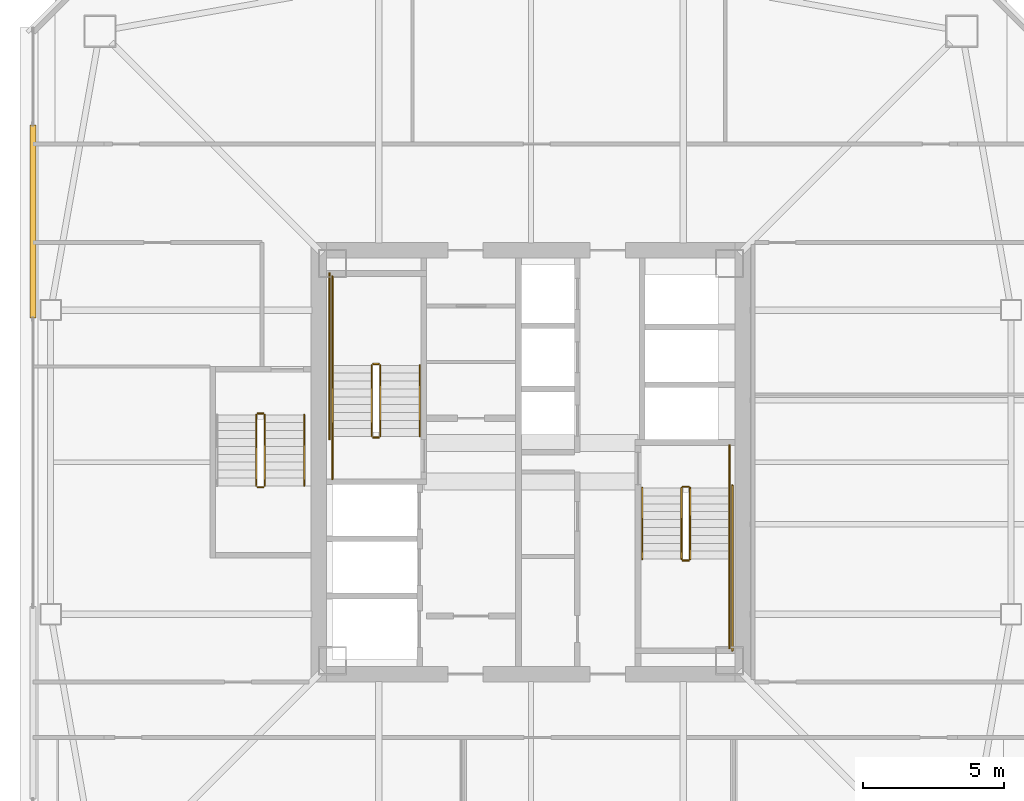
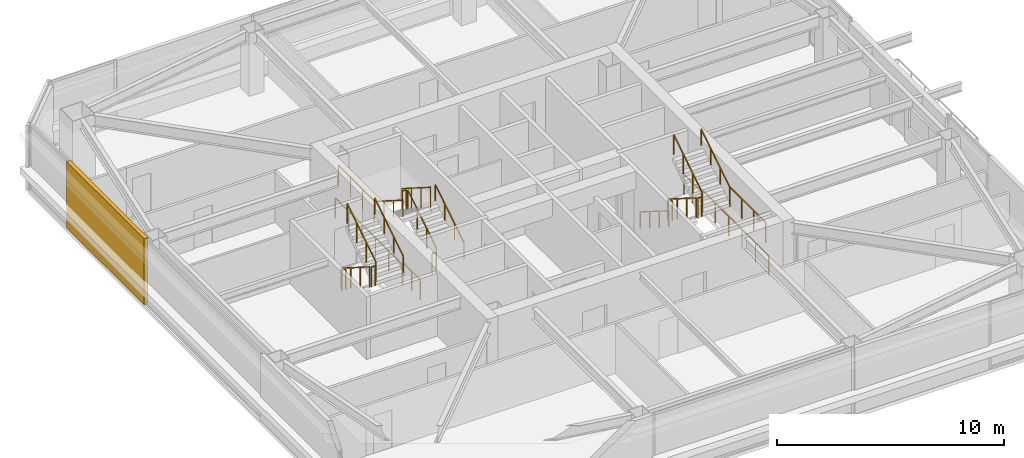
# One storey, part 37 of 41: 23 railings, 1 covering.
"""IFC4 building model written with IfcOpenShell, lengths in metres."""

from ifc_helpers import new_model, si_unit, direction, frame, origin, origin_2d, place, context, subcontext, project, spatial, rectangle, extrude, material, layer, layer_set, type_object, element, save


model = new_model("IFC4")

# Units and contexts
model_context = context("Model", 3, precision=1e-05, world=origin(), true_north=direction((0.0, 1.0)))
body_context = subcontext(model_context, "Body", "Model", "MODEL_VIEW")
ifc_project = project(units=[si_unit("LENGTHUNIT", "METRE"), si_unit("AREAUNIT", "SQUARE_METRE"), si_unit("VOLUMEUNIT", "CUBIC_METRE"), si_unit("PLANEANGLEUNIT", "RADIAN"), si_unit("MASSUNIT", "GRAM", prefix="KILO")], contexts=[model_context])

# Site, building, storey
site_placement = place(None, origin())
site = spatial("IfcSite", under=ifc_project, at=site_placement, CompositionType="ELEMENT")
building_placement = place(site_placement, origin())
building = spatial("IfcBuilding", under=site, at=building_placement, Name="Tashvorn Skyway Center", CompositionType="ELEMENT")
storey_placement = place(building_placement, frame((0.0, 0.0, 171.199951171875)))
storey = spatial("IfcBuildingStorey", under=building, at=storey_placement, Name="L46", CompositionType="ELEMENT", Elevation=171.199951171875)

# Covering
ifc_material_1 = material(Name="Precast concrete C40/50", Category="concrete")
ifc_layer = layer(ifc_material_1, 0.199951171875)
ifc_layer_set = layer_set([ifc_layer], Name="Precast concrete C40/50")
covering_type = type_object("IfcCoveringType", Name="COV-BRACE-CLAD", PredefinedType="CLADDING", material=ifc_layer_set)
covering_placement = place(storey_placement, frame((24.320068359375, 40.54443359375, 0.0), z_axis=(0.0, 0.0, 1.0), x_axis=(0.0, 1.0, 0.0)))
element("IfcCovering", 1, at=covering_placement, inside=storey, type_object=covering_type, Name="Tower 1 L46 West Unitised Curtain Wall Mega-Brace Cladding Band 2", PredefinedType="CLADDING", context=body_context, shape_type="SweptSolid", body=[
    extrude(rectangle(XDim=6.83544921875, YDim=0.199951171875, at=origin_2d()), origin(), (0.0, 0.0, 1.0), 3.550048828125),
])

# Railings
ifc_material_2 = material(Name="Brushed stainless steel 316", Category="steel")
railing_type_1 = type_object("IfcRailingType", Name="RAIL-HAND-920", PredefinedType="HANDRAIL", material=ifc_material_2)
railing_1_placement = place(storey_placement, frame((38.050048828125, 32.919921875, 0.177490234375)))
element("IfcRailing", 2, at=railing_1_placement, inside=storey, type_object=railing_type_1, Name="L46 ST-T1-1 stair handrail 1", PredefinedType="HANDRAIL", context=body_context, shape_type="SweptSolid", body=[
    extrude(rectangle(XDim=0.048095703125, YDim=0.048095703125, at=origin_2d()), frame((0.0, 0.0, 0.8759765625), z_axis=(0.0, 0.84456994832, 0.535445237532), x_axis=(-1.0, 0.0, 0.0)), (0.0, 0.0, 1.0), 2.98388671875),
    extrude(rectangle(XDim=0.0419921875, YDim=0.0419921875, at=origin_2d()), origin(), (0.0, 0.0, 1.0), 0.851806640625),
    extrude(rectangle(XDim=0.0419921875, YDim=0.0419921875, at=origin_2d()), frame((0.0, 0.840087890625, 0.532470703125)), (0.0, 0.0, 1.0), 0.851806640625),
    extrude(rectangle(XDim=0.0419921875, YDim=0.0419921875, at=origin_2d()), frame((0.0, 1.679931640625, 1.065185546875)), (0.0, 0.0, 1.0), 0.851806640625),
    extrude(rectangle(XDim=0.0419921875, YDim=0.0419921875, at=origin_2d()), frame((0.0, 2.52001953125, 1.59765625)), (0.0, 0.0, 1.0), 0.851806640625),
])
railing_2_placement = place(storey_placement, frame((34.949951171875, 35.43994140625, 1.95263671875)))
element("IfcRailing", 3, at=railing_2_placement, inside=storey, type_object=railing_type_1, Name="L46 ST-T1-1 stair handrail 2", PredefinedType="HANDRAIL", context=body_context, shape_type="SweptSolid", body=[
    extrude(rectangle(XDim=0.048095703125, YDim=0.048095703125, at=origin_2d()), frame((0.0, 0.0, 0.8759765625), z_axis=(0.0, -0.84460694969, 0.535386869969), x_axis=(1.0, 0.0, 0.0)), (0.0, 0.0, 1.0), 2.983642578125),
    extrude(rectangle(XDim=0.0419921875, YDim=0.0419921875, at=origin_2d()), origin(), (0.0, 0.0, 1.0), 0.851806640625),
    extrude(rectangle(XDim=0.0419921875, YDim=0.0419921875, at=origin_2d()), frame((0.0, -0.840087890625, 0.532470703125)), (0.0, 0.0, 1.0), 0.851806640625),
    extrude(rectangle(XDim=0.0419921875, YDim=0.0419921875, at=origin_2d()), frame((0.0, -1.679931640625, 1.06494140625)), (0.0, 0.0, 1.0), 0.851806640625),
    extrude(rectangle(XDim=0.0419921875, YDim=0.0419921875, at=origin_2d()), frame((0.0, -2.52001953125, 1.597412109375)), (0.0, 0.0, 1.0), 0.851806640625),
])
railing_3_placement = place(storey_placement, frame((45.949951171875, 31.080078125, 0.177490234375)))
element("IfcRailing", 4, at=railing_3_placement, inside=storey, type_object=railing_type_1, Name="L46 ST-T1-2 stair handrail 1", PredefinedType="HANDRAIL", context=body_context, shape_type="SweptSolid", body=[
    extrude(rectangle(XDim=0.048095703125, YDim=0.048095703125, at=origin_2d()), frame((0.0, 0.0, 0.8759765625), z_axis=(0.0, -0.84456994832, 0.535445237532), x_axis=(1.0, 0.0, 0.0)), (0.0, 0.0, 1.0), 2.98388671875),
    extrude(rectangle(XDim=0.0419921875, YDim=0.0419921875, at=origin_2d()), origin(), (0.0, 0.0, 1.0), 0.851806640625),
    extrude(rectangle(XDim=0.0419921875, YDim=0.0419921875, at=origin_2d()), frame((0.0, -0.840087890625, 0.532470703125)), (0.0, 0.0, 1.0), 0.851806640625),
    extrude(rectangle(XDim=0.0419921875, YDim=0.0419921875, at=origin_2d()), frame((0.0, -1.679931640625, 1.065185546875)), (0.0, 0.0, 1.0), 0.851806640625),
    extrude(rectangle(XDim=0.0419921875, YDim=0.0419921875, at=origin_2d()), frame((0.0, -2.52001953125, 1.59765625)), (0.0, 0.0, 1.0), 0.851806640625),
])
for number, where, name in (
    (5, (49.050048828125, 28.56005859375, 1.95263671875), "L46 ST-T1-2 stair handrail 2"),
    (6, (33.949951171875, 31.159912109375, 1.95263671875), "L46 ST-T1-3 stair handrail 2"),
):
    element("IfcRailing", number, at=place(storey_placement, frame(where)), inside=storey, type_object=railing_type_1, Name=name, PredefinedType="HANDRAIL", context=body_context, shape_type="SweptSolid", body=[
        extrude(rectangle(XDim=0.048095703125, YDim=0.048095703125, at=origin_2d()), frame((0.0, 0.0, 0.8759765625), z_axis=(0.0, 0.84460694969, 0.535386869969), x_axis=(-1.0, 0.0, 0.0)), (0.0, 0.0, 1.0), 2.983642578125),
        extrude(rectangle(XDim=0.0419921875, YDim=0.0419921875, at=origin_2d()), origin(), (0.0, 0.0, 1.0), 0.851806640625),
        extrude(rectangle(XDim=0.0419921875, YDim=0.0419921875, at=origin_2d()), frame((0.0, 0.840087890625, 0.532470703125)), (0.0, 0.0, 1.0), 0.851806640625),
        extrude(rectangle(XDim=0.0419921875, YDim=0.0419921875, at=origin_2d()), frame((0.0, 1.679931640625, 1.06494140625)), (0.0, 0.0, 1.0), 0.851806640625),
        extrude(rectangle(XDim=0.0419921875, YDim=0.0419921875, at=origin_2d()), frame((0.0, 2.52001953125, 1.597412109375)), (0.0, 0.0, 1.0), 0.851806640625),
    ])
ifc_material_3 = material(Name="Painted galvanized steel S355", Category="steel")
railing_type_2 = type_object("IfcRailingType", Name="RAIL-STGUARD-1100", PredefinedType="GUARDRAIL", material=ifc_material_3)
railing_4_placement = place(storey_placement, frame((36.64990234375, 32.919921875, 0.177490234375)))
element("IfcRailing", 7, at=railing_4_placement, inside=storey, type_object=railing_type_2, Name="L46 ST-T1-1 stair guard 1", PredefinedType="GUARDRAIL", context=body_context, shape_type="SweptSolid", body=[
    extrude(rectangle(XDim=0.048095703125, YDim=0.048095703125, at=origin_2d()), frame((0.0, 0.0, 1.076171875), z_axis=(0.0, 0.84456994832, 0.535445237532), x_axis=(-1.0, 0.0, 0.0)), (0.0, 0.0, 1.0), 2.98388671875),
    extrude(rectangle(XDim=0.0419921875, YDim=0.0419921875, at=origin_2d()), origin(), (0.0, 0.0, 1.0), 1.052001953125),
    extrude(rectangle(XDim=0.0419921875, YDim=0.0419921875, at=origin_2d()), frame((0.0, 0.840087890625, 0.532470703125)), (0.0, 0.0, 1.0), 1.052001953125),
    extrude(rectangle(XDim=0.0419921875, YDim=0.0419921875, at=origin_2d()), frame((0.0, 1.679931640625, 1.065185546875)), (0.0, 0.0, 1.0), 1.052001953125),
    extrude(rectangle(XDim=0.0419921875, YDim=0.0419921875, at=origin_2d()), frame((0.0, 2.52001953125, 1.59765625)), (0.0, 0.0, 1.0), 1.052001953125),
])
railing_5_placement = place(storey_placement, frame((36.60009765625, 35.489990234375, 1.775146484375)))
element("IfcRailing", 8, at=railing_5_placement, inside=storey, type_object=railing_type_2, Name="L46 ST-T1-1 stair guard 2", PredefinedType="GUARDRAIL", context=body_context, shape_type="SweptSolid", body=[
    extrude(rectangle(XDim=0.048095703125, YDim=0.048095703125, at=origin_2d()), frame((0.0, 0.0, 1.076171875), z_axis=(-1.0, 0.0, 0.0), x_axis=(0.0, -1.0, 0.0)), (0.0, 0.0, 1.0), 0.2001953125),
    extrude(rectangle(XDim=0.0419921875, YDim=0.0419921875, at=origin_2d()), origin(), (0.0, 0.0, 1.0), 1.052001953125),
    extrude(rectangle(XDim=0.0419921875, YDim=0.0419921875, at=origin_2d()), frame((-0.2001953125, 0.0, 0.0)), (0.0, 0.0, 1.0), 1.052001953125),
])
railing_6_placement = place(storey_placement, frame((34.949951171875, 35.43994140625, 1.775146484375)))
element("IfcRailing", 9, at=railing_6_placement, inside=storey, type_object=railing_type_2, Name="L46 ST-T1-1 stair guard 3", PredefinedType="GUARDRAIL", context=body_context, shape_type="SweptSolid", body=[
    extrude(rectangle(XDim=0.048095703125, YDim=0.048095703125, at=origin_2d()), frame((0.0, 0.0, 1.076171875), z_axis=(0.0, 1.0, 0.0), x_axis=(-1.0, 0.0, 0.0)), (0.0, 0.0, 1.0), 3.16015625),
    extrude(rectangle(XDim=0.0419921875, YDim=0.0419921875, at=origin_2d()), origin(), (0.0, 0.0, 1.0), 1.052001953125),
    extrude(rectangle(XDim=0.0419921875, YDim=0.0419921875, at=origin_2d()), frame((0.0, 1.053466796875, 0.0)), (0.0, 0.0, 1.0), 1.052001953125),
    extrude(rectangle(XDim=0.0419921875, YDim=0.0419921875, at=origin_2d()), frame((0.0, 2.106689453125, 0.0)), (0.0, 0.0, 1.0), 1.052001953125),
    extrude(rectangle(XDim=0.0419921875, YDim=0.0419921875, at=origin_2d()), frame((0.0, 3.16015625, 0.0)), (0.0, 0.0, 1.0), 1.052001953125),
])
railing_7_placement = place(storey_placement, frame((36.35009765625, 35.43994140625, 1.95263671875)))
element("IfcRailing", 10, at=railing_7_placement, inside=storey, type_object=railing_type_2, Name="L46 ST-T1-1 stair guard 4", PredefinedType="GUARDRAIL", context=body_context, shape_type="SweptSolid", body=[
    extrude(rectangle(XDim=0.048095703125, YDim=0.048095703125, at=origin_2d()), frame((0.0, 0.0, 1.076171875), z_axis=(0.0, -0.84460694969, 0.535386869969), x_axis=(1.0, 0.0, 0.0)), (0.0, 0.0, 1.0), 2.983642578125),
    extrude(rectangle(XDim=0.0419921875, YDim=0.0419921875, at=origin_2d()), origin(), (0.0, 0.0, 1.0), 1.052001953125),
    extrude(rectangle(XDim=0.0419921875, YDim=0.0419921875, at=origin_2d()), frame((0.0, -0.840087890625, 0.532470703125)), (0.0, 0.0, 1.0), 1.052001953125),
    extrude(rectangle(XDim=0.0419921875, YDim=0.0419921875, at=origin_2d()), frame((0.0, -1.679931640625, 1.06494140625)), (0.0, 0.0, 1.0), 1.052001953125),
    extrude(rectangle(XDim=0.0419921875, YDim=0.0419921875, at=origin_2d()), frame((0.0, -2.52001953125, 1.597412109375)), (0.0, 0.0, 1.0), 1.052001953125),
])
railing_8_placement = place(storey_placement, frame((36.60009765625, 32.8701171875, 0.0)))
element("IfcRailing", 11, at=railing_8_placement, inside=storey, type_object=railing_type_2, Name="L46 ST-T1-1 stair guard 5", PredefinedType="GUARDRAIL", context=body_context, shape_type="SweptSolid", body=[
    extrude(rectangle(XDim=0.048095703125, YDim=0.048095703125, at=origin_2d()), frame((0.0, 0.0, 1.076171875), z_axis=(-1.0, 0.0, 0.0), x_axis=(0.0, -1.0, 0.0)), (0.0, 0.0, 1.0), 0.2001953125),
    extrude(rectangle(XDim=0.0419921875, YDim=0.0419921875, at=origin_2d()), origin(), (0.0, 0.0, 1.0), 1.052001953125),
    extrude(rectangle(XDim=0.0419921875, YDim=0.0419921875, at=origin_2d()), frame((-0.2001953125, 0.0, 0.0)), (0.0, 0.0, 1.0), 1.052001953125),
])
railing_9_placement = place(storey_placement, frame((34.949951171875, 31.39990234375, 0.0)))
element("IfcRailing", 12, at=railing_9_placement, inside=storey, type_object=railing_type_2, Name="L46 ST-T1-1 stair guard 6", PredefinedType="GUARDRAIL", context=body_context, shape_type="SweptSolid", body=[
    extrude(rectangle(XDim=0.048095703125, YDim=0.048095703125, at=origin_2d()), frame((0.0, 0.0, 1.076171875), z_axis=(0.0, 1.0, 0.0), x_axis=(-1.0, 0.0, 0.0)), (0.0, 0.0, 1.0), 1.52001953125),
    extrude(rectangle(XDim=0.0419921875, YDim=0.0419921875, at=origin_2d()), origin(), (0.0, 0.0, 1.0), 1.052001953125),
    extrude(rectangle(XDim=0.0419921875, YDim=0.0419921875, at=origin_2d()), frame((0.0, 0.760009765625, 0.0)), (0.0, 0.0, 1.0), 1.052001953125),
    extrude(rectangle(XDim=0.0419921875, YDim=0.0419921875, at=origin_2d()), frame((0.0, 1.52001953125, 0.0)), (0.0, 0.0, 1.0), 1.052001953125),
])
railing_10_placement = place(storey_placement, frame((34.85009765625, 32.820068359375, 0.0)))
element("IfcRailing", 13, at=railing_10_placement, inside=storey, type_object=railing_type_2, Name="L46 ST-T1-1 stair guard 7", PredefinedType="GUARDRAIL", context=body_context, shape_type="SweptSolid", body=[
    extrude(rectangle(XDim=0.048095703125, YDim=0.048095703125, at=origin_2d()), frame((0.0, 0.0, 1.076171875), z_axis=(0.0, 1.0, 0.0), x_axis=(-1.0, 0.0, 0.0)), (0.0, 0.0, 1.0), 5.8798828125),
    extrude(rectangle(XDim=0.0419921875, YDim=0.0419921875, at=origin_2d()), origin(), (0.0, 0.0, 1.0), 1.052001953125),
    extrude(rectangle(XDim=0.0419921875, YDim=0.0419921875, at=origin_2d()), frame((0.0, 1.176025390625, 0.0)), (0.0, 0.0, 1.0), 1.052001953125),
    extrude(rectangle(XDim=0.0419921875, YDim=0.0419921875, at=origin_2d()), frame((0.0, 2.35205078125, 0.0)), (0.0, 0.0, 1.0), 1.052001953125),
    extrude(rectangle(XDim=0.0419921875, YDim=0.0419921875, at=origin_2d()), frame((0.0, 3.52783203125, 0.0)), (0.0, 0.0, 1.0), 1.052001953125),
    extrude(rectangle(XDim=0.0419921875, YDim=0.0419921875, at=origin_2d()), frame((0.0, 4.703857421875, 0.0)), (0.0, 0.0, 1.0), 1.052001953125),
    extrude(rectangle(XDim=0.0419921875, YDim=0.0419921875, at=origin_2d()), frame((0.0, 5.8798828125, 0.0)), (0.0, 0.0, 1.0), 1.052001953125),
])
railing_11_placement = place(storey_placement, frame((47.35009765625, 31.080078125, 0.177490234375)))
element("IfcRailing", 14, at=railing_11_placement, inside=storey, type_object=railing_type_2, Name="L46 ST-T1-2 stair guard 1", PredefinedType="GUARDRAIL", context=body_context, shape_type="SweptSolid", body=[
    extrude(rectangle(XDim=0.048095703125, YDim=0.048095703125, at=origin_2d()), frame((0.0, 0.0, 1.076171875), z_axis=(0.0, -0.84456994832, 0.535445237532), x_axis=(1.0, 0.0, 0.0)), (0.0, 0.0, 1.0), 2.98388671875),
    extrude(rectangle(XDim=0.0419921875, YDim=0.0419921875, at=origin_2d()), origin(), (0.0, 0.0, 1.0), 1.052001953125),
    extrude(rectangle(XDim=0.0419921875, YDim=0.0419921875, at=origin_2d()), frame((0.0, -0.840087890625, 0.532470703125)), (0.0, 0.0, 1.0), 1.052001953125),
    extrude(rectangle(XDim=0.0419921875, YDim=0.0419921875, at=origin_2d()), frame((0.0, -1.679931640625, 1.065185546875)), (0.0, 0.0, 1.0), 1.052001953125),
    extrude(rectangle(XDim=0.0419921875, YDim=0.0419921875, at=origin_2d()), frame((0.0, -2.52001953125, 1.59765625)), (0.0, 0.0, 1.0), 1.052001953125),
])
railing_12_placement = place(storey_placement, frame((47.39990234375, 28.510009765625, 1.775146484375)))
element("IfcRailing", 15, at=railing_12_placement, inside=storey, type_object=railing_type_2, Name="L46 ST-T1-2 stair guard 2", PredefinedType="GUARDRAIL", context=body_context, shape_type="SweptSolid", body=[
    extrude(rectangle(XDim=0.048095703125, YDim=0.048095703125, at=origin_2d()), frame((0.0, 0.0, 1.076171875), z_axis=(1.0, 0.0, 0.0), x_axis=(0.0, 1.0, 0.0)), (0.0, 0.0, 1.0), 0.2001953125),
    extrude(rectangle(XDim=0.0419921875, YDim=0.0419921875, at=origin_2d()), origin(), (0.0, 0.0, 1.0), 1.052001953125),
    extrude(rectangle(XDim=0.0419921875, YDim=0.0419921875, at=origin_2d()), frame((0.2001953125, 0.0, 0.0)), (0.0, 0.0, 1.0), 1.052001953125),
])
railing_13_placement = place(storey_placement, frame((49.050048828125, 28.56005859375, 1.775146484375)))
element("IfcRailing", 16, at=railing_13_placement, inside=storey, type_object=railing_type_2, Name="L46 ST-T1-2 stair guard 3", PredefinedType="GUARDRAIL", context=body_context, shape_type="SweptSolid", body=[
    extrude(rectangle(XDim=0.048095703125, YDim=0.048095703125, at=origin_2d()), frame((0.0, 0.0, 1.076171875), z_axis=(0.0, -1.0, 0.0), x_axis=(1.0, 0.0, 0.0)), (0.0, 0.0, 1.0), 3.16015625),
    extrude(rectangle(XDim=0.0419921875, YDim=0.0419921875, at=origin_2d()), origin(), (0.0, 0.0, 1.0), 1.052001953125),
    extrude(rectangle(XDim=0.0419921875, YDim=0.0419921875, at=origin_2d()), frame((0.0, -1.053466796875, 0.0)), (0.0, 0.0, 1.0), 1.052001953125),
    extrude(rectangle(XDim=0.0419921875, YDim=0.0419921875, at=origin_2d()), frame((0.0, -2.106689453125, 0.0)), (0.0, 0.0, 1.0), 1.052001953125),
    extrude(rectangle(XDim=0.0419921875, YDim=0.0419921875, at=origin_2d()), frame((0.0, -3.16015625, 0.0)), (0.0, 0.0, 1.0), 1.052001953125),
])
railing_14_placement = place(storey_placement, frame((47.64990234375, 28.56005859375, 1.95263671875)))
element("IfcRailing", 17, at=railing_14_placement, inside=storey, type_object=railing_type_2, Name="L46 ST-T1-2 stair guard 4", PredefinedType="GUARDRAIL", context=body_context, shape_type="SweptSolid", body=[
    extrude(rectangle(XDim=0.048095703125, YDim=0.048095703125, at=origin_2d()), frame((0.0, 0.0, 1.076171875), z_axis=(0.0, 0.84460694969, 0.535386869969), x_axis=(-1.0, 0.0, 0.0)), (0.0, 0.0, 1.0), 2.983642578125),
    extrude(rectangle(XDim=0.0419921875, YDim=0.0419921875, at=origin_2d()), origin(), (0.0, 0.0, 1.0), 1.052001953125),
    extrude(rectangle(XDim=0.0419921875, YDim=0.0419921875, at=origin_2d()), frame((0.0, 0.840087890625, 0.532470703125)), (0.0, 0.0, 1.0), 1.052001953125),
    extrude(rectangle(XDim=0.0419921875, YDim=0.0419921875, at=origin_2d()), frame((0.0, 1.679931640625, 1.06494140625)), (0.0, 0.0, 1.0), 1.052001953125),
    extrude(rectangle(XDim=0.0419921875, YDim=0.0419921875, at=origin_2d()), frame((0.0, 2.52001953125, 1.597412109375)), (0.0, 0.0, 1.0), 1.052001953125),
])
railing_15_placement = place(storey_placement, frame((47.39990234375, 31.1298828125, 0.0)))
element("IfcRailing", 18, at=railing_15_placement, inside=storey, type_object=railing_type_2, Name="L46 ST-T1-2 stair guard 5", PredefinedType="GUARDRAIL", context=body_context, shape_type="SweptSolid", body=[
    extrude(rectangle(XDim=0.048095703125, YDim=0.048095703125, at=origin_2d()), frame((0.0, 0.0, 1.076171875), z_axis=(1.0, 0.0, 0.0), x_axis=(0.0, 1.0, 0.0)), (0.0, 0.0, 1.0), 0.2001953125),
    extrude(rectangle(XDim=0.0419921875, YDim=0.0419921875, at=origin_2d()), origin(), (0.0, 0.0, 1.0), 1.052001953125),
    extrude(rectangle(XDim=0.0419921875, YDim=0.0419921875, at=origin_2d()), frame((0.2001953125, 0.0, 0.0)), (0.0, 0.0, 1.0), 1.052001953125),
])
railing_16_placement = place(storey_placement, frame((49.050048828125, 32.60009765625, 0.0)))
element("IfcRailing", 19, at=railing_16_placement, inside=storey, type_object=railing_type_2, Name="L46 ST-T1-2 stair guard 6", PredefinedType="GUARDRAIL", context=body_context, shape_type="SweptSolid", body=[
    extrude(rectangle(XDim=0.048095703125, YDim=0.048095703125, at=origin_2d()), frame((0.0, 0.0, 1.076171875), z_axis=(0.0, -1.0, 0.0), x_axis=(1.0, 0.0, 0.0)), (0.0, 0.0, 1.0), 1.52001953125),
    extrude(rectangle(XDim=0.0419921875, YDim=0.0419921875, at=origin_2d()), origin(), (0.0, 0.0, 1.0), 1.052001953125),
    extrude(rectangle(XDim=0.0419921875, YDim=0.0419921875, at=origin_2d()), frame((0.0, -0.760009765625, 0.0)), (0.0, 0.0, 1.0), 1.052001953125),
    extrude(rectangle(XDim=0.0419921875, YDim=0.0419921875, at=origin_2d()), frame((0.0, -1.52001953125, 0.0)), (0.0, 0.0, 1.0), 1.052001953125),
])
railing_17_placement = place(storey_placement, frame((49.14990234375, 31.179931640625, 0.0)))
element("IfcRailing", 20, at=railing_17_placement, inside=storey, type_object=railing_type_2, Name="L46 ST-T1-2 stair guard 7", PredefinedType="GUARDRAIL", context=body_context, shape_type="SweptSolid", body=[
    extrude(rectangle(XDim=0.048095703125, YDim=0.048095703125, at=origin_2d()), frame((0.0, 0.0, 1.076171875), z_axis=(0.0, -1.0, 0.0), x_axis=(1.0, 0.0, 0.0)), (0.0, 0.0, 1.0), 5.8798828125),
    extrude(rectangle(XDim=0.0419921875, YDim=0.0419921875, at=origin_2d()), origin(), (0.0, 0.0, 1.0), 1.052001953125),
    extrude(rectangle(XDim=0.0419921875, YDim=0.0419921875, at=origin_2d()), frame((0.0, -1.176025390625, 0.0)), (0.0, 0.0, 1.0), 1.052001953125),
    extrude(rectangle(XDim=0.0419921875, YDim=0.0419921875, at=origin_2d()), frame((0.0, -2.35205078125, 0.0)), (0.0, 0.0, 1.0), 1.052001953125),
    extrude(rectangle(XDim=0.0419921875, YDim=0.0419921875, at=origin_2d()), frame((0.0, -3.52783203125, 0.0)), (0.0, 0.0, 1.0), 1.052001953125),
    extrude(rectangle(XDim=0.0419921875, YDim=0.0419921875, at=origin_2d()), frame((0.0, -4.703857421875, 0.0)), (0.0, 0.0, 1.0), 1.052001953125),
    extrude(rectangle(XDim=0.0419921875, YDim=0.0419921875, at=origin_2d()), frame((0.0, -5.8798828125, 0.0)), (0.0, 0.0, 1.0), 1.052001953125),
])
railing_18_placement = place(storey_placement, frame((32.25, 33.679931640625, 0.177490234375)))
element("IfcRailing", 21, at=railing_18_placement, inside=storey, type_object=railing_type_2, Name="L46 ST-T1-3 stair guard 1", PredefinedType="GUARDRAIL", context=body_context, shape_type="SweptSolid", body=[
    extrude(rectangle(XDim=0.048095703125, YDim=0.048095703125, at=origin_2d()), frame((0.0, 0.0, 1.076171875), z_axis=(0.0, -0.84456994832, 0.535445237532), x_axis=(1.0, 0.0, 0.0)), (0.0, 0.0, 1.0), 2.98388671875),
    extrude(rectangle(XDim=0.0419921875, YDim=0.0419921875, at=origin_2d()), origin(), (0.0, 0.0, 1.0), 1.052001953125),
    extrude(rectangle(XDim=0.0419921875, YDim=0.0419921875, at=origin_2d()), frame((0.0, -0.840087890625, 0.532470703125)), (0.0, 0.0, 1.0), 1.052001953125),
    extrude(rectangle(XDim=0.0419921875, YDim=0.0419921875, at=origin_2d()), frame((0.0, -1.679931640625, 1.065185546875)), (0.0, 0.0, 1.0), 1.052001953125),
    extrude(rectangle(XDim=0.0419921875, YDim=0.0419921875, at=origin_2d()), frame((0.0, -2.52001953125, 1.59765625)), (0.0, 0.0, 1.0), 1.052001953125),
])
railing_19_placement = place(storey_placement, frame((32.300048828125, 31.110107421875, 1.775146484375)))
element("IfcRailing", 22, at=railing_19_placement, inside=storey, type_object=railing_type_2, Name="L46 ST-T1-3 stair guard 2", PredefinedType="GUARDRAIL", context=body_context, shape_type="SweptSolid", body=[
    extrude(rectangle(XDim=0.048095703125, YDim=0.048095703125, at=origin_2d()), frame((0.0, 0.0, 1.076171875), z_axis=(1.0, 0.0, 0.0), x_axis=(0.0, 1.0, 0.0)), (0.0, 0.0, 1.0), 0.199951171875),
    extrude(rectangle(XDim=0.0419921875, YDim=0.0419921875, at=origin_2d()), origin(), (0.0, 0.0, 1.0), 1.052001953125),
    extrude(rectangle(XDim=0.0419921875, YDim=0.0419921875, at=origin_2d()), frame((0.199951171875, 0.0, 0.0)), (0.0, 0.0, 1.0), 1.052001953125),
])
railing_20_placement = place(storey_placement, frame((32.550048828125, 31.159912109375, 1.95263671875)))
element("IfcRailing", 23, at=railing_20_placement, inside=storey, type_object=railing_type_2, Name="L46 ST-T1-3 stair guard 3", PredefinedType="GUARDRAIL", context=body_context, shape_type="SweptSolid", body=[
    extrude(rectangle(XDim=0.048095703125, YDim=0.048095703125, at=origin_2d()), frame((0.0, 0.0, 1.076171875), z_axis=(0.0, 0.84460694969, 0.535386869969), x_axis=(-1.0, 0.0, 0.0)), (0.0, 0.0, 1.0), 2.983642578125),
    extrude(rectangle(XDim=0.0419921875, YDim=0.0419921875, at=origin_2d()), origin(), (0.0, 0.0, 1.0), 1.052001953125),
    extrude(rectangle(XDim=0.0419921875, YDim=0.0419921875, at=origin_2d()), frame((0.0, 0.840087890625, 0.532470703125)), (0.0, 0.0, 1.0), 1.052001953125),
    extrude(rectangle(XDim=0.0419921875, YDim=0.0419921875, at=origin_2d()), frame((0.0, 1.679931640625, 1.06494140625)), (0.0, 0.0, 1.0), 1.052001953125),
    extrude(rectangle(XDim=0.0419921875, YDim=0.0419921875, at=origin_2d()), frame((0.0, 2.52001953125, 1.597412109375)), (0.0, 0.0, 1.0), 1.052001953125),
])
railing_21_placement = place(storey_placement, frame((32.300048828125, 33.72998046875, 0.0)))
element("IfcRailing", 24, at=railing_21_placement, inside=storey, type_object=railing_type_2, Name="L46 ST-T1-3 stair guard 4", PredefinedType="GUARDRAIL", context=body_context, shape_type="SweptSolid", body=[
    extrude(rectangle(XDim=0.048095703125, YDim=0.048095703125, at=origin_2d()), frame((0.0, 0.0, 1.076171875), z_axis=(1.0, 0.0, 0.0), x_axis=(0.0, 1.0, 0.0)), (0.0, 0.0, 1.0), 0.199951171875),
    extrude(rectangle(XDim=0.0419921875, YDim=0.0419921875, at=origin_2d()), origin(), (0.0, 0.0, 1.0), 1.052001953125),
    extrude(rectangle(XDim=0.0419921875, YDim=0.0419921875, at=origin_2d()), frame((0.199951171875, 0.0, 0.0)), (0.0, 0.0, 1.0), 1.052001953125),
])

save(model, "model.ifc")
